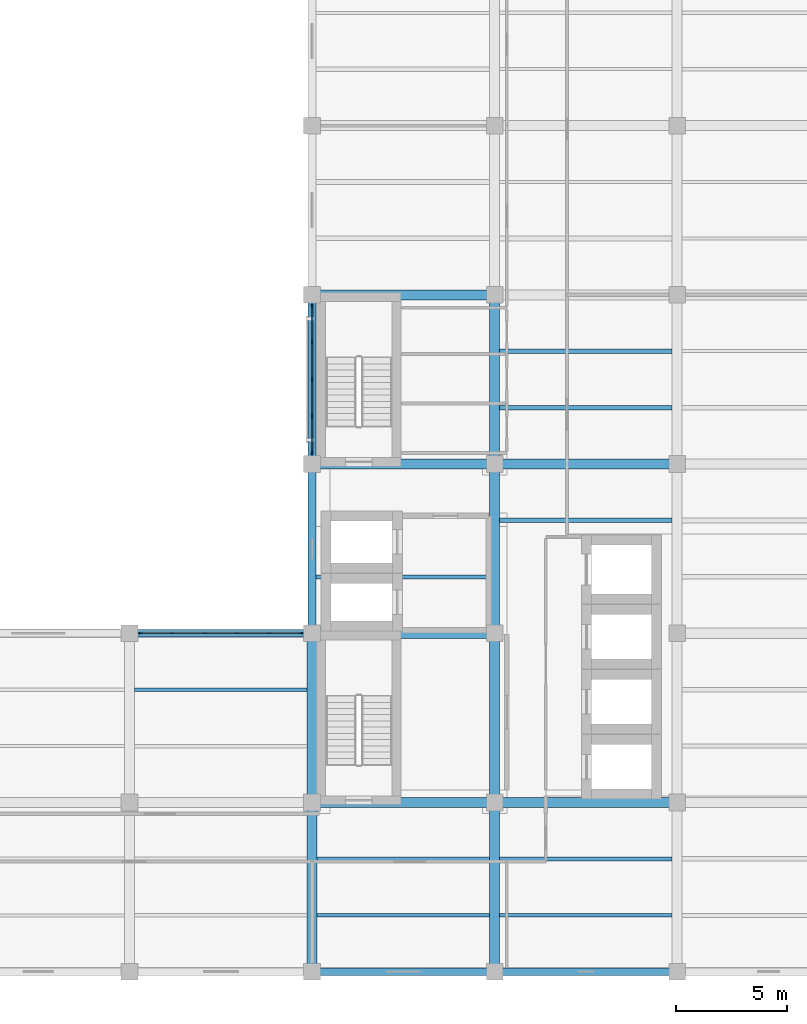
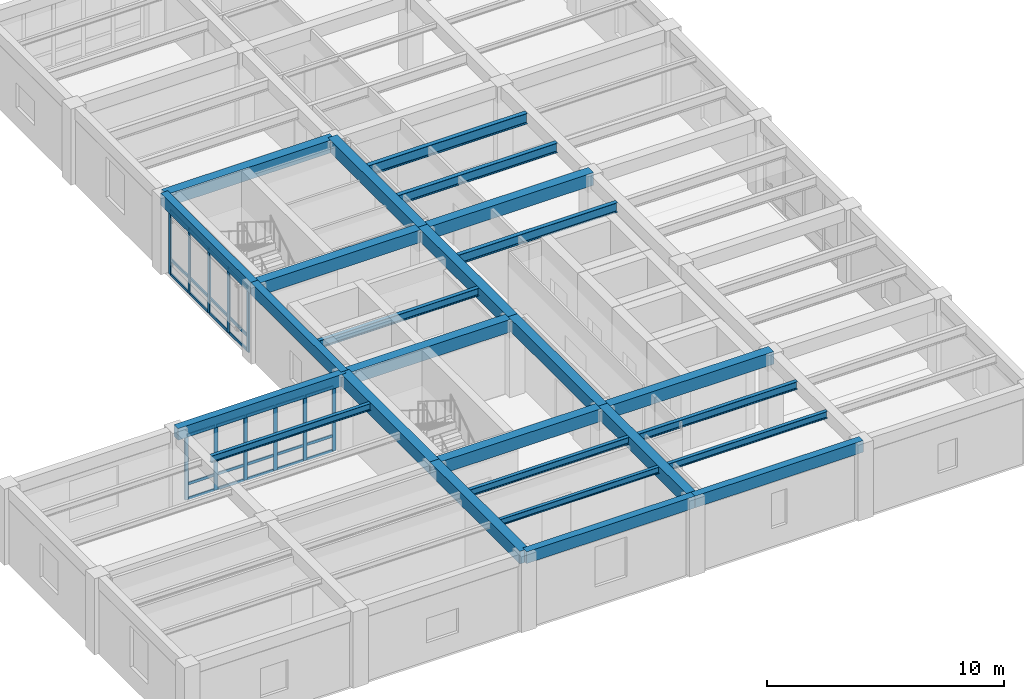
# One storey, part 2 of 13: 38 members, 26 beams, 2 elements without a shape of their own.
"""IFC4 building model written with IfcOpenShell, lengths in metres."""

from ifc_helpers import new_model, si_unit, direction, frame, origin, origin_2d, place, context, subcontext, project, spatial, rectangle, i_section, extrude, material, material_profile, profile_set, type_object, element, aggregate, save


model = new_model("IFC4")

# Units and contexts
model_context = context("Model", 3, precision=1e-05, world=origin(), true_north=direction((0.0, 1.0)))
body_context = subcontext(model_context, "Body", "Model", "MODEL_VIEW")
ifc_project = project(units=[si_unit("LENGTHUNIT", "METRE"), si_unit("AREAUNIT", "SQUARE_METRE"), si_unit("VOLUMEUNIT", "CUBIC_METRE"), si_unit("PLANEANGLEUNIT", "RADIAN"), si_unit("MASSUNIT", "GRAM", prefix="KILO")], contexts=[model_context])

# Site, building, storey
site_placement = place(None, origin())
site = spatial("IfcSite", under=ifc_project, at=site_placement, CompositionType="ELEMENT")
building_placement = place(site_placement, origin())
building = spatial("IfcBuilding", under=site, at=building_placement, Name="Qandaris Square Conservatory and Botanical Centre", CompositionType="ELEMENT")
storey_placement = place(building_placement, frame((0.0, 0.0, 57.60009765625)))
storey = spatial("IfcBuildingStorey", under=building, at=storey_placement, Name="L13", CompositionType="ELEMENT", Elevation=57.60009765625)

# Beams
ifc_material_1 = material(Name="Steel S355", Category="steel")
ifc_material_profile_1 = material_profile(ifc_material_1, i_section(OverallWidth=0.199951171875, OverallDepth=0.5, WebThickness=0.01025390625, FlangeThickness=0.01611328125, FilletRadius=0.02099609375, at=origin_2d()), Name="IPE 500")
ifc_profile_set_1 = profile_set([ifc_material_profile_1], Name="Steel S355")
beam_type_1 = type_object("IfcBeamType", Name="Composite Gallery Joist IPE 500", PredefinedType="JOIST", material=ifc_profile_set_1)
for number, where, z_axis, x_axis, name in (
    (1, (147.625, 36.86669921875, 3.659912109375), (1.0, 0.0, 0.0), (0.0, 1.0, 0.0), "L13 Composite Joist 2805"),
    (2, (147.625, 41.933349609375, 3.659912109375), (1.0, 0.0, 0.0), (0.0, 1.0, 0.0), "L13 Composite Joist 2806"),
):
    element("IfcBeam", number, at=place(storey_placement, frame(where, z_axis=z_axis, x_axis=x_axis)), inside=storey, type_object=beam_type_1, Name=name, PredefinedType="JOIST", context=body_context, shape_type="SweptSolid", body=[
        extrude(i_section(OverallWidth=0.199951171875, OverallDepth=0.5, WebThickness=0.01025390625, FlangeThickness=0.01611328125, FilletRadius=0.02099609375, at=origin_2d()), origin(), (0.0, 0.0, 1.0), 7.75),
    ])
ifc_material_profile_2 = material_profile(ifc_material_1, i_section(OverallWidth=0.159912109375, OverallDepth=0.330078125, WebThickness=0.007568359375, FlangeThickness=0.011474609375, FilletRadius=0.01806640625, at=origin_2d()), Name="IPE 330")
ifc_profile_set_2 = profile_set([ifc_material_profile_2], Name="Steel S355")
beam_type_2 = type_object("IfcBeamType", Name="Composite Lab Joist IPE 330", PredefinedType="JOIST", material=ifc_profile_set_2)
beam_1_placement = place(storey_placement, frame((139.425048828125, 19.13330078125, 3.744873046875), z_axis=(1.0, 0.0, 0.0), x_axis=(0.0, 1.0, 0.0)))
element("IfcBeam", 3, at=beam_1_placement, inside=storey, type_object=beam_type_2, Name="L13 Composite Joist 2796", PredefinedType="JOIST", context=body_context, shape_type="SweptSolid", body=[
    extrude(i_section(OverallWidth=0.159912109375, OverallDepth=0.330078125, WebThickness=0.007568359375, FlangeThickness=0.011474609375, FilletRadius=0.01806640625, at=origin_2d()), origin(), (0.0, 0.0, 1.0), 7.75),
])
ifc_material_profile_3 = material_profile(ifc_material_1, i_section(OverallWidth=0.169921875, OverallDepth=0.360107421875, WebThickness=0.008056640625, FlangeThickness=0.0126953125, FilletRadius=0.01806640625, at=origin_2d()), Name="IPE 360")
ifc_profile_set_3 = profile_set([ifc_material_profile_3], Name="Steel S355")
beam_type_3 = type_object("IfcBeamType", Name="Composite Lab Joist IPE 360", PredefinedType="JOIST", material=ifc_profile_set_3)
for number, where, z_axis, x_axis, name in (
    (4, (131.22509765625, 29.2666015625, 3.72998046875), (1.0, 0.0, 0.0), (0.0, 1.0, 0.0), "L13 Composite Joist 2795"),
    (5, (139.425048828125, 21.666748046875, 3.72998046875), (1.0, 0.0, 0.0), (0.0, 1.0, 0.0), "L13 Composite Joist 2797"),
    (6, (147.625, 19.13330078125, 3.72998046875), (1.0, 0.0, 0.0), (0.0, 1.0, 0.0), "L13 Composite Joist 2803"),
):
    element("IfcBeam", number, at=place(storey_placement, frame(where, z_axis=z_axis, x_axis=x_axis)), inside=storey, type_object=beam_type_3, Name=name, PredefinedType="JOIST", context=body_context, shape_type="SweptSolid", body=[
        extrude(i_section(OverallWidth=0.169921875, OverallDepth=0.360107421875, WebThickness=0.008056640625, FlangeThickness=0.0126953125, FilletRadius=0.01806640625, at=origin_2d()), origin(), (0.0, 0.0, 1.0), 7.75),
    ])
ifc_material_profile_4 = material_profile(ifc_material_1, i_section(OverallWidth=0.179931640625, OverallDepth=0.39990234375, WebThickness=0.008544921875, FlangeThickness=0.013427734375, FilletRadius=0.02099609375, at=origin_2d()), Name="IPE 400")
ifc_profile_set_4 = profile_set([ifc_material_profile_4], Name="Steel S355")
beam_type_4 = type_object("IfcBeamType", Name="Composite Plinth Joist IPE 400", PredefinedType="JOIST", material=ifc_profile_set_4)
beam_2_placement = place(storey_placement, frame((139.375, 34.333251953125, 3.7099609375), z_axis=(1.0, 0.0, 0.0), x_axis=(0.0, 1.0, 0.0)))
element("IfcBeam", 7, at=beam_2_placement, inside=storey, type_object=beam_type_4, Name="L13 Composite Joist 2798", PredefinedType="JOIST", context=body_context, shape_type="SweptSolid", body=[
    extrude(i_section(OverallWidth=0.179931640625, OverallDepth=0.39990234375, WebThickness=0.008544921875, FlangeThickness=0.013427734375, FilletRadius=0.02099609375, at=origin_2d()), origin(), (0.0, 0.0, 1.0), 7.800048828125),
])
beam_3_placement = place(storey_placement, frame((147.625, 21.666748046875, 3.7099609375), z_axis=(1.0, 0.0, 0.0), x_axis=(0.0, 1.0, 0.0)))
element("IfcBeam", 8, at=beam_3_placement, inside=storey, type_object=beam_type_4, Name="L13 Composite Joist 2804", PredefinedType="JOIST", context=body_context, shape_type="SweptSolid", body=[
    extrude(i_section(OverallWidth=0.179931640625, OverallDepth=0.39990234375, WebThickness=0.008544921875, FlangeThickness=0.013427734375, FilletRadius=0.02099609375, at=origin_2d()), origin(), (0.0, 0.0, 1.0), 7.75),
])

# Curtain wall, members
ifc_material_2 = material(Name="Anodised Aluminium", Category="aluminium")
curtain_wall_type_1 = type_object("IfcCurtainWallType", Name="Unitised Curtain Wall CW-4-665x332", PredefinedType="USERDEFINED", material=ifc_material_2)
curtain_wall_1_placement = place(storey_placement, origin())
curtain_wall_1 = element("IfcCurtainWall", 9, at=curtain_wall_1_placement, inside=storey, type_object=curtain_wall_type_1, Name="Curtain Wall CW-TWR-L13-4-3", ObjectType="GLAZED CURTAIN WALL", PredefinedType="USERDEFINED")
ifc_material_profile_5 = material_profile(ifc_material_2, rectangle(XDim=0.06494140625, YDim=0.179931640625, at=origin_2d()), Name="ALU-MUL 65x180")
ifc_profile_set_5 = profile_set([ifc_material_profile_5], Name="Anodised Aluminium")
member_type_1 = type_object("IfcMemberType", Name="Curtain Wall Mullion 65x180", PredefinedType="MULLION", material=ifc_profile_set_5)
member_1_placement = place(storey_placement, frame((139.199951171875, 46.492431640625, 0.0), z_axis=(0.0, 0.0, 1.0), x_axis=(1.0, 0.0, 0.0)))
member_1 = element("IfcMember", 10, at=member_1_placement, type_object=member_type_1, Name="CW-4-665x332 mullion 1", PredefinedType="MULLION", context=body_context, shape_type="SweptSolid", body=[
    extrude(rectangle(XDim=0.06494140625, YDim=0.179931640625, at=origin_2d()), origin(), (0.0, 0.0, 1.0), 3.31982421875),
])
member_2_placement = place(storey_placement, frame((139.199951171875, 44.862548828125, 0.0), z_axis=(0.0, 0.0, 1.0), x_axis=(1.0, 0.0, 0.0)))
member_2 = element("IfcMember", 11, at=member_2_placement, type_object=member_type_1, Name="CW-4-665x332 mullion 2", PredefinedType="MULLION", context=body_context, shape_type="SweptSolid", body=[
    extrude(rectangle(XDim=0.06494140625, YDim=0.179931640625, at=origin_2d()), origin(), (0.0, 0.0, 1.0), 3.31982421875),
])
member_3_placement = place(storey_placement, frame((139.199951171875, 43.199951171875, 0.0), z_axis=(0.0, 0.0, 1.0), x_axis=(1.0, 0.0, 0.0)))
member_3 = element("IfcMember", 12, at=member_3_placement, type_object=member_type_1, Name="CW-4-665x332 mullion 3", PredefinedType="MULLION", context=body_context, shape_type="SweptSolid", body=[
    extrude(rectangle(XDim=0.06494140625, YDim=0.179931640625, at=origin_2d()), origin(), (0.0, 0.0, 1.0), 3.31982421875),
])
member_4_placement = place(storey_placement, frame((139.199951171875, 41.53759765625, 0.0), z_axis=(0.0, 0.0, 1.0), x_axis=(1.0, 0.0, 0.0)))
member_4 = element("IfcMember", 13, at=member_4_placement, type_object=member_type_1, Name="CW-4-665x332 mullion 4", PredefinedType="MULLION", context=body_context, shape_type="SweptSolid", body=[
    extrude(rectangle(XDim=0.06494140625, YDim=0.179931640625, at=origin_2d()), origin(), (0.0, 0.0, 1.0), 3.31982421875),
])
member_5_placement = place(storey_placement, frame((139.199951171875, 39.907470703125, 0.0), z_axis=(0.0, 0.0, 1.0), x_axis=(1.0, 0.0, 0.0)))
member_5 = element("IfcMember", 14, at=member_5_placement, type_object=member_type_1, Name="CW-4-665x332 mullion 5", PredefinedType="MULLION", context=body_context, shape_type="SweptSolid", body=[
    extrude(rectangle(XDim=0.06494140625, YDim=0.179931640625, at=origin_2d()), origin(), (0.0, 0.0, 1.0), 3.31982421875),
])

curtain_wall_type_2 = type_object("IfcCurtainWallType", Name="Unitised Curtain Wall CW-4-725x332", PredefinedType="USERDEFINED", material=ifc_material_2)
curtain_wall_2_placement = place(storey_placement, origin())
curtain_wall_2 = element("IfcCurtainWall", 15, at=curtain_wall_2_placement, inside=storey, type_object=curtain_wall_type_2, Name="Curtain Wall CW-TWR-L13-5-1", ObjectType="GLAZED CURTAIN WALL", PredefinedType="USERDEFINED")
member_6_placement = place(storey_placement, frame((138.6923828125, 31.800048828125, 0.0), z_axis=(0.0, 0.0, 1.0), x_axis=(0.0, -1.0, 0.0)))
member_6 = element("IfcMember", 16, at=member_6_placement, type_object=member_type_1, Name="CW-4-725x332 mullion 1", PredefinedType="MULLION", context=body_context, shape_type="SweptSolid", body=[
    extrude(rectangle(XDim=0.06494140625, YDim=0.179931640625, at=origin_2d()), origin(), (0.0, 0.0, 1.0), 3.31982421875),
])
member_7_placement = place(storey_placement, frame((137.27490234375, 31.800048828125, 0.0), z_axis=(0.0, 0.0, 1.0), x_axis=(0.0, -1.0, 0.0)))
member_7 = element("IfcMember", 17, at=member_7_placement, type_object=member_type_1, Name="CW-4-725x332 mullion 2", PredefinedType="MULLION", context=body_context, shape_type="SweptSolid", body=[
    extrude(rectangle(XDim=0.06494140625, YDim=0.179931640625, at=origin_2d()), origin(), (0.0, 0.0, 1.0), 3.31982421875),
])
member_8_placement = place(storey_placement, frame((135.824951171875, 31.800048828125, 0.0), z_axis=(0.0, 0.0, 1.0), x_axis=(0.0, -1.0, 0.0)))
member_8 = element("IfcMember", 18, at=member_8_placement, type_object=member_type_1, Name="CW-4-725x332 mullion 3", PredefinedType="MULLION", context=body_context, shape_type="SweptSolid", body=[
    extrude(rectangle(XDim=0.06494140625, YDim=0.179931640625, at=origin_2d()), origin(), (0.0, 0.0, 1.0), 3.31982421875),
])
member_9_placement = place(storey_placement, frame((134.375, 31.800048828125, 0.0), z_axis=(0.0, 0.0, 1.0), x_axis=(0.0, -1.0, 0.0)))
member_9 = element("IfcMember", 19, at=member_9_placement, type_object=member_type_1, Name="CW-4-725x332 mullion 4", PredefinedType="MULLION", context=body_context, shape_type="SweptSolid", body=[
    extrude(rectangle(XDim=0.06494140625, YDim=0.179931640625, at=origin_2d()), origin(), (0.0, 0.0, 1.0), 3.31982421875),
])
member_10_placement = place(storey_placement, frame((132.925048828125, 31.800048828125, 0.0), z_axis=(0.0, 0.0, 1.0), x_axis=(0.0, -1.0, 0.0)))
member_10 = element("IfcMember", 20, at=member_10_placement, type_object=member_type_1, Name="CW-4-725x332 mullion 5", PredefinedType="MULLION", context=body_context, shape_type="SweptSolid", body=[
    extrude(rectangle(XDim=0.06494140625, YDim=0.179931640625, at=origin_2d()), origin(), (0.0, 0.0, 1.0), 3.31982421875),
])
member_11_placement = place(storey_placement, frame((131.507568359375, 31.800048828125, 0.0), z_axis=(0.0, 0.0, 1.0), x_axis=(0.0, -1.0, 0.0)))
member_11 = element("IfcMember", 21, at=member_11_placement, type_object=member_type_1, Name="CW-4-725x332 mullion 6", PredefinedType="MULLION", context=body_context, shape_type="SweptSolid", body=[
    extrude(rectangle(XDim=0.06494140625, YDim=0.179931640625, at=origin_2d()), origin(), (0.0, 0.0, 1.0), 3.31982421875),
])

# Member
ifc_material_profile_6 = material_profile(ifc_material_2, rectangle(XDim=0.06494140625, YDim=0.139892578125, at=origin_2d()), Name="ALU-TRN 65x140")
ifc_profile_set_6 = profile_set([ifc_material_profile_6], Name="Anodised Aluminium")
member_type_2 = type_object("IfcMemberType", Name="Curtain Wall Transom 65x140", PredefinedType="USERDEFINED", material=ifc_profile_set_6)
member_12_placement = place(storey_placement, frame((139.199951171875, 46.4599609375, 0.032470703125), z_axis=(0.0, -1.0, 0.0), x_axis=(1.0, 0.0, 0.0)))
member_12 = element("IfcMember", 22, at=member_12_placement, type_object=member_type_2, Name="CW-4-665x332 transom 1.1", ObjectType="TRANSOM", PredefinedType="USERDEFINED", context=body_context, shape_type="SweptSolid", body=[
    extrude(rectangle(XDim=0.06494140625, YDim=0.139892578125, at=origin_2d()), origin(), (0.0, 0.0, 1.0), 1.56494140625),
])

member_13_placement = place(storey_placement, frame((139.199951171875, 46.4599609375, 0.796630859375), z_axis=(0.0, -1.0, 0.0), x_axis=(1.0, 0.0, 0.0)))
member_13 = element("IfcMember", 23, at=member_13_placement, type_object=member_type_2, Name="CW-4-665x332 transom 1.2", ObjectType="TRANSOM", PredefinedType="USERDEFINED", context=body_context, shape_type="SweptSolid", body=[
    extrude(rectangle(XDim=0.06494140625, YDim=0.139892578125, at=origin_2d()), origin(), (0.0, 0.0, 1.0), 1.56494140625),
])

member_14_placement = place(storey_placement, frame((139.199951171875, 46.4599609375, 3.287353515625), z_axis=(0.0, -1.0, 0.0), x_axis=(1.0, 0.0, 0.0)))
member_14 = element("IfcMember", 24, at=member_14_placement, type_object=member_type_2, Name="CW-4-665x332 transom 1.3", ObjectType="TRANSOM", PredefinedType="USERDEFINED", context=body_context, shape_type="SweptSolid", body=[
    extrude(rectangle(XDim=0.06494140625, YDim=0.139892578125, at=origin_2d()), origin(), (0.0, 0.0, 1.0), 1.56494140625),
])

member_15_placement = place(storey_placement, frame((139.199951171875, 44.830078125, 0.032470703125), z_axis=(0.0, -1.0, 0.0), x_axis=(1.0, 0.0, 0.0)))
member_15 = element("IfcMember", 25, at=member_15_placement, type_object=member_type_2, Name="CW-4-665x332 transom 2.1", ObjectType="TRANSOM", PredefinedType="USERDEFINED", context=body_context, shape_type="SweptSolid", body=[
    extrude(rectangle(XDim=0.06494140625, YDim=0.139892578125, at=origin_2d()), origin(), (0.0, 0.0, 1.0), 1.59765625),
])

member_16_placement = place(storey_placement, frame((139.199951171875, 44.830078125, 0.796630859375), z_axis=(0.0, -1.0, 0.0), x_axis=(1.0, 0.0, 0.0)))
member_16 = element("IfcMember", 26, at=member_16_placement, type_object=member_type_2, Name="CW-4-665x332 transom 2.2", ObjectType="TRANSOM", PredefinedType="USERDEFINED", context=body_context, shape_type="SweptSolid", body=[
    extrude(rectangle(XDim=0.06494140625, YDim=0.139892578125, at=origin_2d()), origin(), (0.0, 0.0, 1.0), 1.59765625),
])

member_17_placement = place(storey_placement, frame((139.199951171875, 44.830078125, 3.287353515625), z_axis=(0.0, -1.0, 0.0), x_axis=(1.0, 0.0, 0.0)))
member_17 = element("IfcMember", 27, at=member_17_placement, type_object=member_type_2, Name="CW-4-665x332 transom 2.3", ObjectType="TRANSOM", PredefinedType="USERDEFINED", context=body_context, shape_type="SweptSolid", body=[
    extrude(rectangle(XDim=0.06494140625, YDim=0.139892578125, at=origin_2d()), origin(), (0.0, 0.0, 1.0), 1.59765625),
])

member_18_placement = place(storey_placement, frame((139.199951171875, 43.16748046875, 0.032470703125), z_axis=(0.0, -1.0, 0.0), x_axis=(1.0, 0.0, 0.0)))
member_18 = element("IfcMember", 28, at=member_18_placement, type_object=member_type_2, Name="CW-4-665x332 transom 3.1", ObjectType="TRANSOM", PredefinedType="USERDEFINED", context=body_context, shape_type="SweptSolid", body=[
    extrude(rectangle(XDim=0.06494140625, YDim=0.139892578125, at=origin_2d()), origin(), (0.0, 0.0, 1.0), 1.597412109375),
])

member_19_placement = place(storey_placement, frame((139.199951171875, 43.16748046875, 0.796630859375), z_axis=(0.0, -1.0, 0.0), x_axis=(1.0, 0.0, 0.0)))
member_19 = element("IfcMember", 29, at=member_19_placement, type_object=member_type_2, Name="CW-4-665x332 transom 3.2", ObjectType="TRANSOM", PredefinedType="USERDEFINED", context=body_context, shape_type="SweptSolid", body=[
    extrude(rectangle(XDim=0.06494140625, YDim=0.139892578125, at=origin_2d()), origin(), (0.0, 0.0, 1.0), 1.597412109375),
])

member_20_placement = place(storey_placement, frame((139.199951171875, 43.16748046875, 3.287353515625), z_axis=(0.0, -1.0, 0.0), x_axis=(1.0, 0.0, 0.0)))
member_20 = element("IfcMember", 30, at=member_20_placement, type_object=member_type_2, Name="CW-4-665x332 transom 3.3", ObjectType="TRANSOM", PredefinedType="USERDEFINED", context=body_context, shape_type="SweptSolid", body=[
    extrude(rectangle(XDim=0.06494140625, YDim=0.139892578125, at=origin_2d()), origin(), (0.0, 0.0, 1.0), 1.597412109375),
])

member_21_placement = place(storey_placement, frame((139.199951171875, 41.5048828125, 0.032470703125), z_axis=(0.0, -1.0, 0.0), x_axis=(1.0, 0.0, 0.0)))
member_21 = element("IfcMember", 31, at=member_21_placement, type_object=member_type_2, Name="CW-4-665x332 transom 4.1", ObjectType="TRANSOM", PredefinedType="USERDEFINED", context=body_context, shape_type="SweptSolid", body=[
    extrude(rectangle(XDim=0.06494140625, YDim=0.139892578125, at=origin_2d()), origin(), (0.0, 0.0, 1.0), 1.56494140625),
])

member_22_placement = place(storey_placement, frame((139.199951171875, 41.5048828125, 0.796630859375), z_axis=(0.0, -1.0, 0.0), x_axis=(1.0, 0.0, 0.0)))
member_22 = element("IfcMember", 32, at=member_22_placement, type_object=member_type_2, Name="CW-4-665x332 transom 4.2", ObjectType="TRANSOM", PredefinedType="USERDEFINED", context=body_context, shape_type="SweptSolid", body=[
    extrude(rectangle(XDim=0.06494140625, YDim=0.139892578125, at=origin_2d()), origin(), (0.0, 0.0, 1.0), 1.56494140625),
])

member_23_placement = place(storey_placement, frame((139.199951171875, 41.5048828125, 3.287353515625), z_axis=(0.0, -1.0, 0.0), x_axis=(1.0, 0.0, 0.0)))
member_23 = element("IfcMember", 33, at=member_23_placement, type_object=member_type_2, Name="CW-4-665x332 transom 4.3", ObjectType="TRANSOM", PredefinedType="USERDEFINED", context=body_context, shape_type="SweptSolid", body=[
    extrude(rectangle(XDim=0.06494140625, YDim=0.139892578125, at=origin_2d()), origin(), (0.0, 0.0, 1.0), 1.56494140625),
])

aggregate(curtain_wall_1, [member_1, member_2, member_3, member_4, member_5, member_12, member_13, member_14, member_15, member_16, member_17, member_18, member_19, member_20, member_21, member_22, member_23])

member_24_placement = place(storey_placement, frame((138.659912109375, 31.800048828125, 0.032470703125), z_axis=(-1.0, 0.0, 0.0), x_axis=(0.0, -1.0, 0.0)))
member_24 = element("IfcMember", 34, at=member_24_placement, type_object=member_type_2, Name="CW-4-725x332 transom 1.1", ObjectType="TRANSOM", PredefinedType="USERDEFINED", context=body_context, shape_type="SweptSolid", body=[
    extrude(rectangle(XDim=0.06494140625, YDim=0.139892578125, at=origin_2d()), origin(), (0.0, 0.0, 1.0), 1.352294921875),
])

member_25_placement = place(storey_placement, frame((138.659912109375, 31.800048828125, 0.796630859375), z_axis=(-1.0, 0.0, 0.0), x_axis=(0.0, -1.0, 0.0)))
member_25 = element("IfcMember", 35, at=member_25_placement, type_object=member_type_2, Name="CW-4-725x332 transom 1.2", ObjectType="TRANSOM", PredefinedType="USERDEFINED", context=body_context, shape_type="SweptSolid", body=[
    extrude(rectangle(XDim=0.06494140625, YDim=0.139892578125, at=origin_2d()), origin(), (0.0, 0.0, 1.0), 1.352294921875),
])

member_26_placement = place(storey_placement, frame((138.659912109375, 31.800048828125, 3.287353515625), z_axis=(-1.0, 0.0, 0.0), x_axis=(0.0, -1.0, 0.0)))
member_26 = element("IfcMember", 36, at=member_26_placement, type_object=member_type_2, Name="CW-4-725x332 transom 1.3", ObjectType="TRANSOM", PredefinedType="USERDEFINED", context=body_context, shape_type="SweptSolid", body=[
    extrude(rectangle(XDim=0.06494140625, YDim=0.139892578125, at=origin_2d()), origin(), (0.0, 0.0, 1.0), 1.352294921875),
])

member_27_placement = place(storey_placement, frame((137.242431640625, 31.800048828125, 0.032470703125), z_axis=(-1.0, 0.0, 0.0), x_axis=(0.0, -1.0, 0.0)))
member_27 = element("IfcMember", 37, at=member_27_placement, type_object=member_type_2, Name="CW-4-725x332 transom 2.1", ObjectType="TRANSOM", PredefinedType="USERDEFINED", context=body_context, shape_type="SweptSolid", body=[
    extrude(rectangle(XDim=0.06494140625, YDim=0.139892578125, at=origin_2d()), origin(), (0.0, 0.0, 1.0), 1.385009765625),
])

member_28_placement = place(storey_placement, frame((137.242431640625, 31.800048828125, 0.796630859375), z_axis=(-1.0, 0.0, 0.0), x_axis=(0.0, -1.0, 0.0)))
member_28 = element("IfcMember", 38, at=member_28_placement, type_object=member_type_2, Name="CW-4-725x332 transom 2.2", ObjectType="TRANSOM", PredefinedType="USERDEFINED", context=body_context, shape_type="SweptSolid", body=[
    extrude(rectangle(XDim=0.06494140625, YDim=0.139892578125, at=origin_2d()), origin(), (0.0, 0.0, 1.0), 1.385009765625),
])

member_29_placement = place(storey_placement, frame((137.242431640625, 31.800048828125, 3.287353515625), z_axis=(-1.0, 0.0, 0.0), x_axis=(0.0, -1.0, 0.0)))
member_29 = element("IfcMember", 39, at=member_29_placement, type_object=member_type_2, Name="CW-4-725x332 transom 2.3", ObjectType="TRANSOM", PredefinedType="USERDEFINED", context=body_context, shape_type="SweptSolid", body=[
    extrude(rectangle(XDim=0.06494140625, YDim=0.139892578125, at=origin_2d()), origin(), (0.0, 0.0, 1.0), 1.385009765625),
])

member_30_placement = place(storey_placement, frame((135.79248046875, 31.800048828125, 0.032470703125), z_axis=(-1.0, 0.0, 0.0), x_axis=(0.0, -1.0, 0.0)))
member_30 = element("IfcMember", 40, at=member_30_placement, type_object=member_type_2, Name="CW-4-725x332 transom 3.1", ObjectType="TRANSOM", PredefinedType="USERDEFINED", context=body_context, shape_type="SweptSolid", body=[
    extrude(rectangle(XDim=0.06494140625, YDim=0.139892578125, at=origin_2d()), origin(), (0.0, 0.0, 1.0), 1.385009765625),
])

member_31_placement = place(storey_placement, frame((135.79248046875, 31.800048828125, 0.796630859375), z_axis=(-1.0, 0.0, 0.0), x_axis=(0.0, -1.0, 0.0)))
member_31 = element("IfcMember", 41, at=member_31_placement, type_object=member_type_2, Name="CW-4-725x332 transom 3.2", ObjectType="TRANSOM", PredefinedType="USERDEFINED", context=body_context, shape_type="SweptSolid", body=[
    extrude(rectangle(XDim=0.06494140625, YDim=0.139892578125, at=origin_2d()), origin(), (0.0, 0.0, 1.0), 1.385009765625),
])

member_32_placement = place(storey_placement, frame((135.79248046875, 31.800048828125, 3.287353515625), z_axis=(-1.0, 0.0, 0.0), x_axis=(0.0, -1.0, 0.0)))
member_32 = element("IfcMember", 42, at=member_32_placement, type_object=member_type_2, Name="CW-4-725x332 transom 3.3", ObjectType="TRANSOM", PredefinedType="USERDEFINED", context=body_context, shape_type="SweptSolid", body=[
    extrude(rectangle(XDim=0.06494140625, YDim=0.139892578125, at=origin_2d()), origin(), (0.0, 0.0, 1.0), 1.385009765625),
])

member_33_placement = place(storey_placement, frame((134.342529296875, 31.800048828125, 0.032470703125), z_axis=(-1.0, 0.0, 0.0), x_axis=(0.0, -1.0, 0.0)))
member_33 = element("IfcMember", 43, at=member_33_placement, type_object=member_type_2, Name="CW-4-725x332 transom 4.1", ObjectType="TRANSOM", PredefinedType="USERDEFINED", context=body_context, shape_type="SweptSolid", body=[
    extrude(rectangle(XDim=0.06494140625, YDim=0.139892578125, at=origin_2d()), origin(), (0.0, 0.0, 1.0), 1.385009765625),
])

member_34_placement = place(storey_placement, frame((134.342529296875, 31.800048828125, 0.796630859375), z_axis=(-1.0, 0.0, 0.0), x_axis=(0.0, -1.0, 0.0)))
member_34 = element("IfcMember", 44, at=member_34_placement, type_object=member_type_2, Name="CW-4-725x332 transom 4.2", ObjectType="TRANSOM", PredefinedType="USERDEFINED", context=body_context, shape_type="SweptSolid", body=[
    extrude(rectangle(XDim=0.06494140625, YDim=0.139892578125, at=origin_2d()), origin(), (0.0, 0.0, 1.0), 1.385009765625),
])

member_35_placement = place(storey_placement, frame((134.342529296875, 31.800048828125, 3.287353515625), z_axis=(-1.0, 0.0, 0.0), x_axis=(0.0, -1.0, 0.0)))
member_35 = element("IfcMember", 45, at=member_35_placement, type_object=member_type_2, Name="CW-4-725x332 transom 4.3", ObjectType="TRANSOM", PredefinedType="USERDEFINED", context=body_context, shape_type="SweptSolid", body=[
    extrude(rectangle(XDim=0.06494140625, YDim=0.139892578125, at=origin_2d()), origin(), (0.0, 0.0, 1.0), 1.385009765625),
])

member_36_placement = place(storey_placement, frame((132.892578125, 31.800048828125, 0.032470703125), z_axis=(-1.0, 0.0, 0.0), x_axis=(0.0, -1.0, 0.0)))
member_36 = element("IfcMember", 46, at=member_36_placement, type_object=member_type_2, Name="CW-4-725x332 transom 5.1", ObjectType="TRANSOM", PredefinedType="USERDEFINED", context=body_context, shape_type="SweptSolid", body=[
    extrude(rectangle(XDim=0.06494140625, YDim=0.139892578125, at=origin_2d()), origin(), (0.0, 0.0, 1.0), 1.3525390625),
])

member_37_placement = place(storey_placement, frame((132.892578125, 31.800048828125, 0.796630859375), z_axis=(-1.0, 0.0, 0.0), x_axis=(0.0, -1.0, 0.0)))
member_37 = element("IfcMember", 47, at=member_37_placement, type_object=member_type_2, Name="CW-4-725x332 transom 5.2", ObjectType="TRANSOM", PredefinedType="USERDEFINED", context=body_context, shape_type="SweptSolid", body=[
    extrude(rectangle(XDim=0.06494140625, YDim=0.139892578125, at=origin_2d()), origin(), (0.0, 0.0, 1.0), 1.3525390625),
])

member_38_placement = place(storey_placement, frame((132.892578125, 31.800048828125, 3.287353515625), z_axis=(-1.0, 0.0, 0.0), x_axis=(0.0, -1.0, 0.0)))
member_38 = element("IfcMember", 48, at=member_38_placement, type_object=member_type_2, Name="CW-4-725x332 transom 5.3", ObjectType="TRANSOM", PredefinedType="USERDEFINED", context=body_context, shape_type="SweptSolid", body=[
    extrude(rectangle(XDim=0.06494140625, YDim=0.139892578125, at=origin_2d()), origin(), (0.0, 0.0, 1.0), 1.3525390625),
])

aggregate(curtain_wall_2, [member_6, member_7, member_8, member_9, member_10, member_11, member_24, member_25, member_26, member_27, member_28, member_29, member_30, member_31, member_32, member_33, member_34, member_35, member_36, member_37, member_38])

# Beams
ifc_material_profile_7 = material_profile(ifc_material_1, i_section(OverallWidth=0.2099609375, OverallDepth=0.550048828125, WebThickness=0.010986328125, FlangeThickness=0.01708984375, FilletRadius=0.02392578125, at=origin_2d()), Name="IPE 550")
ifc_profile_set_7 = profile_set([ifc_material_profile_7], Name="Steel S355")
beam_type_5 = type_object("IfcBeamType", Name="Long-Span Foyer Joist IPE 550", PredefinedType="JOIST", material=ifc_profile_set_7)
beam_4_placement = place(storey_placement, frame((147.625, 44.466796875, 3.635009765625), z_axis=(1.0, 0.0, 0.0), x_axis=(0.0, 1.0, 0.0)))
element("IfcBeam", 49, at=beam_4_placement, inside=storey, type_object=beam_type_5, Name="L13 Composite Joist 2807", PredefinedType="JOIST", context=body_context, shape_type="SweptSolid", body=[
    extrude(i_section(OverallWidth=0.2099609375, OverallDepth=0.550048828125, WebThickness=0.010986328125, FlangeThickness=0.01708984375, FilletRadius=0.02392578125, at=origin_2d()), origin(), (0.0, 0.0, 1.0), 7.75),
])
ifc_material_3 = material(Name="Concrete C50/60", Category="concrete")
ifc_material_profile_8 = material_profile(ifc_material_3, rectangle(XDim=0.35009765625, YDim=0.60009765625, at=origin_2d()), Name="RC-SP 350x600")
ifc_profile_set_8 = profile_set([ifc_material_profile_8], Name="Concrete C50/60")
beam_type_6 = type_object("IfcBeamType", Name="RC Edge Spandrel Beam 350x600", PredefinedType="SPANDREL", material=ifc_profile_set_8)
beam_5_placement = place(storey_placement, frame((139.199951171875, 16.60009765625, 3.619873046875), z_axis=(1.0, 0.0, 0.0), x_axis=(0.0, 1.0, 0.0)))
element("IfcBeam", 50, at=beam_5_placement, inside=storey, type_object=beam_type_6, Name="L13 Frame Beam 2736", PredefinedType="SPANDREL", context=body_context, shape_type="SweptSolid", body=[
    extrude(rectangle(XDim=0.35009765625, YDim=0.60009765625, at=origin_2d()), origin(), (0.0, 0.0, 1.0), 8.199951171875),
])
beam_6_placement = place(storey_placement, frame((147.39990234375, 16.60009765625, 3.619873046875), z_axis=(1.0, 0.0, 0.0), x_axis=(0.0, 1.0, 0.0)))
element("IfcBeam", 51, at=beam_6_placement, inside=storey, type_object=beam_type_6, Name="L13 Frame Beam 2737", PredefinedType="SPANDREL", context=body_context, shape_type="SweptSolid", body=[
    extrude(rectangle(XDim=0.35009765625, YDim=0.60009765625, at=origin_2d()), origin(), (0.0, 0.0, 1.0), 8.2001953125),
])
beam_7_placement = place(storey_placement, frame((131.0, 31.800048828125, 3.619873046875), z_axis=(1.0, 0.0, 0.0), x_axis=(0.0, 1.0, 0.0)))
element("IfcBeam", 52, at=beam_7_placement, inside=storey, type_object=beam_type_6, Name="L13 Frame Beam 2745", PredefinedType="SPANDREL", context=body_context, shape_type="SweptSolid", body=[
    extrude(rectangle(XDim=0.35009765625, YDim=0.60009765625, at=origin_2d()), origin(), (0.0, 0.0, 1.0), 8.199951171875),
])
beam_8_placement = place(storey_placement, frame((139.199951171875, 31.800048828125, 3.619873046875), z_axis=(0.0, 1.0, 0.0), x_axis=(-1.0, 0.0, 0.0)))
element("IfcBeam", 53, at=beam_8_placement, inside=storey, type_object=beam_type_6, Name="L13 Frame Beam 2766", PredefinedType="SPANDREL", context=body_context, shape_type="SweptSolid", body=[
    extrude(rectangle(XDim=0.35009765625, YDim=0.60009765625, at=origin_2d()), origin(), (0.0, 0.0, 1.0), 7.599853515625),
])
beam_9_placement = place(storey_placement, frame((139.199951171875, 39.39990234375, 3.619873046875), z_axis=(0.0, 1.0, 0.0), x_axis=(-1.0, 0.0, 0.0)))
element("IfcBeam", 54, at=beam_9_placement, inside=storey, type_object=beam_type_6, Name="L13 Frame Beam 2767", PredefinedType="SPANDREL", context=body_context, shape_type="SweptSolid", body=[
    extrude(rectangle(XDim=0.35009765625, YDim=0.60009765625, at=origin_2d()), origin(), (0.0, 0.0, 1.0), 7.60009765625),
])
ifc_material_profile_9 = material_profile(ifc_material_3, rectangle(XDim=0.449951171875, YDim=0.64990234375, at=origin_2d()), Name="RC-BM 450x650")
ifc_profile_set_9 = profile_set([ifc_material_profile_9], Name="Concrete C50/60")
beam_type_7 = type_object("IfcBeamType", Name="RC Floor Girder 450x650", PredefinedType="BEAM", material=ifc_profile_set_9)
beam_10_placement = place(storey_placement, frame((139.199951171875, 24.199951171875, 3.594970703125), z_axis=(1.0, 0.0, 0.0), x_axis=(0.0, 1.0, 0.0)))
element("IfcBeam", 55, at=beam_10_placement, inside=storey, type_object=beam_type_7, Name="L13 Frame Beam 2741", PredefinedType="BEAM", context=body_context, shape_type="SweptSolid", body=[
    extrude(rectangle(XDim=0.449951171875, YDim=0.64990234375, at=origin_2d()), origin(), (0.0, 0.0, 1.0), 8.199951171875),
])
beam_11_placement = place(storey_placement, frame((147.39990234375, 24.199951171875, 3.594970703125), z_axis=(1.0, 0.0, 0.0), x_axis=(0.0, 1.0, 0.0)))
element("IfcBeam", 56, at=beam_11_placement, inside=storey, type_object=beam_type_7, Name="L13 Frame Beam 2742", PredefinedType="BEAM", context=body_context, shape_type="SweptSolid", body=[
    extrude(rectangle(XDim=0.449951171875, YDim=0.64990234375, at=origin_2d()), origin(), (0.0, 0.0, 1.0), 8.2001953125),
])
for number, where, z_axis, x_axis, name in (
    (57, (139.199951171875, 31.800048828125, 3.594970703125), (1.0, 0.0, 0.0), (0.0, 1.0, 0.0), "L13 Frame Beam 2746"),
    (58, (139.199951171875, 39.39990234375, 3.594970703125), (1.0, 0.0, 0.0), (0.0, 1.0, 0.0), "L13 Frame Beam 2748"),
):
    element("IfcBeam", number, at=place(storey_placement, frame(where, z_axis=z_axis, x_axis=x_axis)), inside=storey, type_object=beam_type_7, Name=name, PredefinedType="BEAM", context=body_context, shape_type="SweptSolid", body=[
        extrude(rectangle(XDim=0.449951171875, YDim=0.64990234375, at=origin_2d()), origin(), (0.0, 0.0, 1.0), 8.199951171875),
    ])
beam_12_placement = place(storey_placement, frame((147.39990234375, 39.39990234375, 3.594970703125), z_axis=(1.0, 0.0, 0.0), x_axis=(0.0, 1.0, 0.0)))
element("IfcBeam", 59, at=beam_12_placement, inside=storey, type_object=beam_type_7, Name="L13 Frame Beam 2749", PredefinedType="BEAM", context=body_context, shape_type="SweptSolid", body=[
    extrude(rectangle(XDim=0.449951171875, YDim=0.64990234375, at=origin_2d()), origin(), (0.0, 0.0, 1.0), 8.2001953125),
])
beam_13_placement = place(storey_placement, frame((139.199951171875, 47.0, 3.594970703125), z_axis=(1.0, 0.0, 0.0), x_axis=(0.0, 1.0, 0.0)))
element("IfcBeam", 60, at=beam_13_placement, inside=storey, type_object=beam_type_7, Name="L13 Frame Beam 2751", PredefinedType="BEAM", context=body_context, shape_type="SweptSolid", body=[
    extrude(rectangle(XDim=0.449951171875, YDim=0.64990234375, at=origin_2d()), origin(), (0.0, 0.0, 1.0), 8.199951171875),
])
beam_14_placement = place(storey_placement, frame((139.199951171875, 16.60009765625, 3.594970703125), z_axis=(0.0, 1.0, 0.0), x_axis=(-1.0, 0.0, 0.0)))
element("IfcBeam", 61, at=beam_14_placement, inside=storey, type_object=beam_type_7, Name="L13 Frame Beam 2764", PredefinedType="BEAM", context=body_context, shape_type="SweptSolid", body=[
    extrude(rectangle(XDim=0.449951171875, YDim=0.64990234375, at=origin_2d()), origin(), (0.0, 0.0, 1.0), 7.599853515625),
])
beam_15_placement = place(storey_placement, frame((139.199951171875, 24.199951171875, 3.594970703125), z_axis=(0.0, 1.0, 0.0), x_axis=(-1.0, 0.0, 0.0)))
element("IfcBeam", 62, at=beam_15_placement, inside=storey, type_object=beam_type_7, Name="L13 Frame Beam 2765", PredefinedType="BEAM", context=body_context, shape_type="SweptSolid", body=[
    extrude(rectangle(XDim=0.449951171875, YDim=0.64990234375, at=origin_2d()), origin(), (0.0, 0.0, 1.0), 7.60009765625),
])
beam_16_placement = place(storey_placement, frame((147.39990234375, 16.60009765625, 3.594970703125), z_axis=(0.0, 1.0, 0.0), x_axis=(-1.0, 0.0, 0.0)))
element("IfcBeam", 63, at=beam_16_placement, inside=storey, type_object=beam_type_7, Name="L13 Frame Beam 2770", PredefinedType="BEAM", context=body_context, shape_type="SweptSolid", body=[
    extrude(rectangle(XDim=0.449951171875, YDim=0.64990234375, at=origin_2d()), origin(), (0.0, 0.0, 1.0), 7.599853515625),
])
beam_17_placement = place(storey_placement, frame((147.39990234375, 24.199951171875, 3.594970703125), z_axis=(0.0, 1.0, 0.0), x_axis=(-1.0, 0.0, 0.0)))
element("IfcBeam", 64, at=beam_17_placement, inside=storey, type_object=beam_type_7, Name="L13 Frame Beam 2771", PredefinedType="BEAM", context=body_context, shape_type="SweptSolid", body=[
    extrude(rectangle(XDim=0.449951171875, YDim=0.64990234375, at=origin_2d()), origin(), (0.0, 0.0, 1.0), 7.60009765625),
])
beam_18_placement = place(storey_placement, frame((147.39990234375, 31.800048828125, 3.594970703125), z_axis=(0.0, 1.0, 0.0), x_axis=(-1.0, 0.0, 0.0)))
element("IfcBeam", 65, at=beam_18_placement, inside=storey, type_object=beam_type_7, Name="L13 Frame Beam 2772", PredefinedType="BEAM", context=body_context, shape_type="SweptSolid", body=[
    extrude(rectangle(XDim=0.449951171875, YDim=0.64990234375, at=origin_2d()), origin(), (0.0, 0.0, 1.0), 7.599853515625),
])
beam_19_placement = place(storey_placement, frame((147.39990234375, 39.39990234375, 3.594970703125), z_axis=(0.0, 1.0, 0.0), x_axis=(-1.0, 0.0, 0.0)))
element("IfcBeam", 66, at=beam_19_placement, inside=storey, type_object=beam_type_7, Name="L13 Frame Beam 2773", PredefinedType="BEAM", context=body_context, shape_type="SweptSolid", body=[
    extrude(rectangle(XDim=0.449951171875, YDim=0.64990234375, at=origin_2d()), origin(), (0.0, 0.0, 1.0), 7.60009765625),
])

save(model, "model.ifc")
